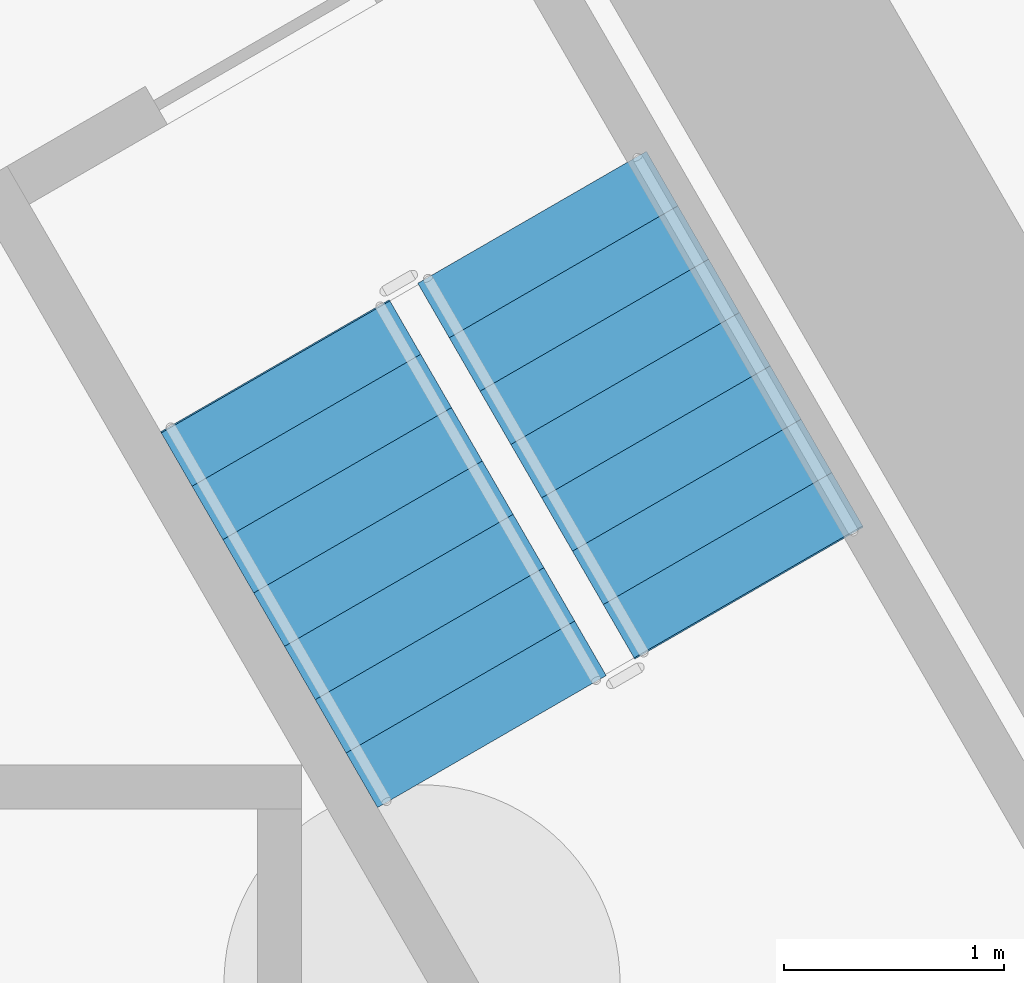
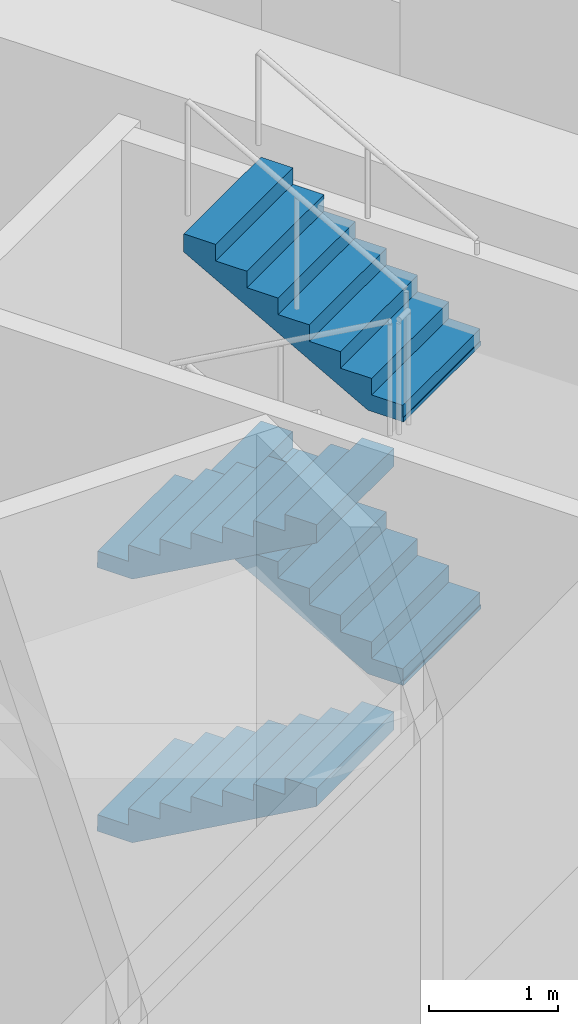
# One storey, part 5 of 7: 4 stair flights, 1 element without a shape of its own.
"""IFC4 building model written with IfcOpenShell, lengths in metres."""

import ifcopenshell
import ifcopenshell.guid

model = None  # the IFC model being written
_history = None  # IfcOwnerHistory: only IFC2X3 demands one
_inside = {}  # id of a spatial element -> (the spatial element, [elements in it])
_under = {}  # id of a project, library or spatial element -> (it, [spatial elements below it])
_declared = {}  # id of a project -> (the project, [libraries it declares])
_typed = {}  # id of a type object -> (the type object, [elements of that type])
_made_of = {}  # id of a material, layer set ... -> (it, [elements and type objects made of it])


def new_model(schema):
    """Start an empty IFC model of exactly this schema.

    Asked for "IFC4X3", IfcOpenShell would pick the latest addendum, in which some entities
    have other attributes; the version numbers below select the first issue.
    IFC2X3 requires an IfcOwnerHistory on every rooted entity: one is made here for all.
    """
    global model, _history
    if schema == "IFC4X3":
        model = ifcopenshell.file(schema_version=(4, 3, 0, 0))
    else:
        model = ifcopenshell.file(schema=schema)
    _inside.clear()
    _under.clear()
    _declared.clear()
    _typed.clear()
    _made_of.clear()
    _history = None
    if model.schema == "IFC2X3":
        org = make("IfcOrganization", Name="unknown")
        user = make(
            "IfcPersonAndOrganization",
            ThePerson=make("IfcPerson", FamilyName="unknown"),
            TheOrganization=org,
        )
        app = make(
            "IfcApplication",
            ApplicationDeveloper=org,
            Version="unknown",
            ApplicationFullName="unknown",
            ApplicationIdentifier="unknown",
        )
        _history = make(
            "IfcOwnerHistory",
            OwningUser=user,
            OwningApplication=app,
            ChangeAction="ADDED",
            CreationDate=0,
        )
    return model


def make(cls, **values):
    """One entity of the class cls with the attributes given. An attribute that is None is left unset."""
    return model.create_entity(
        cls, **{name: value for name, value in values.items() if value is not None}
    )


def rooted(cls, **values):
    """An entity with a GlobalId (a new one), such as an element, a storey or a relation."""
    return make(cls, GlobalId=ifcopenshell.guid.new(), OwnerHistory=_history, **values)


def si_unit(unit_type, name, prefix=None):
    """IfcSIUnit, for example si_unit("LENGTHUNIT", "METRE", prefix="MILLI")."""
    return make("IfcSIUnit", UnitType=unit_type, Prefix=prefix, Name=name)


def assignment(units):
    """IfcUnitAssignment: the units of a project."""
    return None if units is None else make("IfcUnitAssignment", Units=units)


def point(xyz):
    """IfcCartesianPoint."""
    return None if xyz is None else make("IfcCartesianPoint", Coordinates=xyz)


def direction(xyz):
    """IfcDirection."""
    return None if xyz is None else make("IfcDirection", DirectionRatios=xyz)


def frame(location, z_axis=None, x_axis=None):
    """IfcAxis2Placement3D, a coordinate frame: its origin and axes. An axis left out is left unset."""
    return make(
        "IfcAxis2Placement3D",
        Location=point(location),
        Axis=direction(z_axis),
        RefDirection=direction(x_axis),
    )


def origin():
    """The frame at (0, 0, 0) with its axes left unset."""
    return frame((0.0, 0.0, 0.0))


def place(relative_to, where):
    """IfcLocalPlacement: puts the frame where relative to a parent placement (None: the world)."""
    return make(
        "IfcLocalPlacement", PlacementRelTo=relative_to, RelativePlacement=where
    )


def context(
    kind, dimensions, precision=None, world=None, true_north=None, identifier=None
):
    """IfcGeometricRepresentationContext, for example the 3D "Model" context."""
    return make(
        "IfcGeometricRepresentationContext",
        ContextIdentifier=identifier,
        ContextType=kind,
        CoordinateSpaceDimension=dimensions,
        Precision=precision,
        WorldCoordinateSystem=world,
        TrueNorth=true_north,
    )


def subcontext(parent, identifier, kind, view, scale=None):
    """IfcGeometricRepresentationSubContext, for example "Body" below "Model"."""
    return make(
        "IfcGeometricRepresentationSubContext",
        ContextIdentifier=identifier,
        ContextType=kind,
        ParentContext=parent,
        TargetScale=scale,
        TargetView=view,
    )


def project(units=None, contexts=None):
    """IfcProject with its units and contexts."""
    return rooted(
        "IfcProject",
        Name="project",
        RepresentationContexts=contexts,
        UnitsInContext=assignment(units),
    )


def spatial(cls, under=None, at=None, **own):
    """A site, building, storey or space (cls), placed at a placement, below another one or the project."""
    s = rooted(cls, ObjectPlacement=at, **own)
    if under is not None:
        _under.setdefault(under.id(), (under, []))[1].append(s)
    return s


def polyline(points):
    """IfcPolyline through the points."""
    return make("IfcPolyline", Points=[point(p) for p in points])


def outline(outer, holes=None, kind="AREA"):
    """IfcArbitraryClosedProfileDef: a profile drawn as a closed curve; with holes, ...WithVoids."""
    if holes is None:
        return make("IfcArbitraryClosedProfileDef", ProfileType=kind, OuterCurve=outer)
    return make(
        "IfcArbitraryProfileDefWithVoids",
        ProfileType=kind,
        OuterCurve=outer,
        InnerCurves=holes,
    )


def extrude(swept, where, along, depth):
    """IfcExtrudedAreaSolid: the profile swept, set in the frame where, extruded along a direction by depth."""
    return make(
        "IfcExtrudedAreaSolid",
        SweptArea=swept,
        Position=where,
        ExtrudedDirection=direction(along),
        Depth=depth,
    )


def shape(context_of_items, identifier, shape_type, items):
    """IfcShapeRepresentation: the items that make up one representation, for example the "Body"."""
    return make(
        "IfcShapeRepresentation",
        ContextOfItems=context_of_items,
        RepresentationIdentifier=identifier,
        RepresentationType=shape_type,
        Items=items,
    )


def material(Name=None, Category=None):
    """IfcMaterial."""
    return make("IfcMaterial", Name=Name, Category=Category)


def layer(
    of_material, thickness, ventilated=None, Name=None, Category=None, Priority=None
):
    """IfcMaterialLayer: one layer of a wall or slab, of a material (None: an air gap)."""
    return make(
        "IfcMaterialLayer",
        Material=of_material,
        LayerThickness=thickness,
        IsVentilated=ventilated,
        Name=Name,
        Category=Category,
        Priority=Priority,
    )


def layer_set(layers, Name=None):
    """IfcMaterialLayerSet."""
    return make("IfcMaterialLayerSet", MaterialLayers=layers, LayerSetName=Name)


def made_of(thing, what):
    """Note that an element or type object is made of a material, layer set ...; save() writes the relation."""
    if what is not None:
        _made_of.setdefault(what.id(), (what, []))[1].append(thing)
    return thing


def type_object(cls, material=None, **own):
    """A type object (cls), such as IfcWallType, which elements share."""
    return made_of(rooted(cls, **own), material)


def element(
    cls,
    number,
    at=None,
    inside=None,
    cuts=None,
    type_object=None,
    material=None,
    context=None,
    identifier="Body",
    shape_type=None,
    held_by="IfcProductDefinitionShape",
    body=None,
    shapes=None,
    **own,
):
    """One element of the class cls, such as IfcWall. Its Tag is "e" and its number.

    at: its placement. inside: the storey or other place that contains it. cuts: it is an
    opening in that element (IfcRelVoidsElement). A single representation is given by context,
    identifier, shape_type and body (its items); several are given by shapes. held_by: the class
    of the entity that holds the representations. save() writes the other relations.
    """
    e = rooted(cls, Tag="e%d" % number, ObjectPlacement=at, **own)
    if body is not None:
        shapes = [shape(context, identifier, shape_type, body)]
    if shapes is not None:
        e.Representation = make(held_by, Representations=shapes)
    if inside is not None:
        _inside.setdefault(inside.id(), (inside, []))[1].append(e)
    if cuts is not None:
        rooted(
            "IfcRelVoidsElement", RelatingBuildingElement=cuts, RelatedOpeningElement=e
        )
    if type_object is not None:
        _typed.setdefault(type_object.id(), (type_object, []))[1].append(e)
    return made_of(e, material)


def aggregate(whole, parts):
    """IfcRelAggregates: a whole, such as a stair, and the parts it consists of."""
    return rooted("IfcRelAggregates", RelatingObject=whole, RelatedObjects=parts)


def save(model, path):
    """Write the relations noted so far, then the file.

    IfcRelAggregates (storeys below a building ...), IfcRelContainedInSpatialStructure (elements
    in a storey), IfcRelDefinesByType, IfcRelAssociatesMaterial and IfcRelDeclares: one each for
    every whole, place, type object, material and project.
    """
    for whole, parts in _under.values():
        aggregate(whole, parts)
    for where, things in _inside.values():
        rooted(
            "IfcRelContainedInSpatialStructure",
            RelatedElements=things,
            RelatingStructure=where,
        )
    for kind, things in _typed.values():
        rooted("IfcRelDefinesByType", RelatedObjects=things, RelatingType=kind)
    for what, things in _made_of.values():
        rooted("IfcRelAssociatesMaterial", RelatedObjects=things, RelatingMaterial=what)
    for by, libraries in _declared.values():
        rooted("IfcRelDeclares", RelatingContext=by, RelatedDefinitions=libraries)
    model.write(path)


model = new_model("IFC4")

# Units and contexts
model_context = context("Model", 3, precision=1e-05, world=origin(), true_north=direction((0.0, 1.0)))
body_context = subcontext(model_context, "Body", "Model", "MODEL_VIEW")
ifc_project = project(units=[si_unit("LENGTHUNIT", "METRE"), si_unit("AREAUNIT", "SQUARE_METRE"), si_unit("VOLUMEUNIT", "CUBIC_METRE"), si_unit("PLANEANGLEUNIT", "RADIAN"), si_unit("MASSUNIT", "GRAM", prefix="KILO")], contexts=[model_context])

# Site, building, storey
site_placement = place(None, origin())
site = spatial("IfcSite", under=ifc_project, at=site_placement, CompositionType="ELEMENT")
building_placement = place(site_placement, origin())
building = spatial("IfcBuilding", under=site, at=building_placement, Name="Tramontana Tower", CompositionType="ELEMENT")
storey_placement = place(building_placement, frame((0.0, 0.0, -5.0)))
storey = spatial("IfcBuildingStorey", under=building, at=storey_placement, Name="B1", CompositionType="ELEMENT", Elevation=-5.0)

# Stair, stair flights
ifc_material_1 = material(Name="Concrete 40 MPa", Category="concrete")
stair_type = type_object("IfcStairType", Name="EXIT STAIR 32 RISERS", PredefinedType="HALF_TURN_STAIR", material=ifc_material_1)
stair_placement = place(storey_placement, origin())
stair = element("IfcStair", 1, at=stair_placement, inside=storey, type_object=stair_type, Name="B1 Exit stair ST3", PredefinedType="HALF_TURN_STAIR")
ifc_material_2 = material(Name="Concrete 40 MPa", Category="concrete")
ifc_layer = layer(ifc_material_2, 0.14990234375)
ifc_layer_set = layer_set([ifc_layer], Name="EXIT STAIR FLIGHT")
stair_flight_type = type_object("IfcStairFlightType", Name="EXIT STAIR FLIGHT", PredefinedType="STRAIGHT", material=ifc_layer_set)
stair_flight_1_placement = place(storey_placement, frame((4.671142578125, -1.090576171875, 0.0), z_axis=(0.0, 0.0, 1.0), x_axis=(0.5, -0.866025403784, 0.0)))
stair_flight_1 = element("IfcStairFlight", 2, at=stair_flight_1_placement, type_object=stair_flight_type, Name="ST3 flight 1", NumberOfRisers=8, NumberOfTreads=7, PredefinedType="STRAIGHT", RiserHeight=0.15625, TreadLength=0.28, context=body_context, shape_type="SweptSolid", body=[
    extrude(outline(polyline([(-0.006103515625, 0.0), (-0.006103515625, 0.0400390625), (0.0, 0.0400390625), (0.0, 0.15625), (0.280029296875, 0.15625), (0.280029296875, 0.3125), (0.56005859375, 0.3125), (0.56005859375, 0.46875), (0.840087890625, 0.46875), (0.840087890625, 0.625), (1.1201171875, 0.625), (1.1201171875, 0.78125), (1.39990234375, 0.78125), (1.39990234375, 0.9375), (1.679931640625, 0.9375), (1.679931640625, 1.09375), (1.9599609375, 1.09375), (1.966064453125, 1.09375), (1.966064453125, 0.922119140625), (0.313720703125, 0.0), (-0.006103515625, 0.0)])), frame((0.0, 0.60009765625, 0.0), z_axis=(0.0, -1.0, 0.0), x_axis=(1.0, 0.0, 0.0)), (0.0, 0.0, 1.0), 1.199951171875),
])
stair_flight_2_placement = place(storey_placement, frame((6.8203125, -2.113037109375, 1.25), z_axis=(0.0, 0.0, 1.0), x_axis=(-0.5, 0.866025403784, 0.0)))
stair_flight_2 = element("IfcStairFlight", 3, at=stair_flight_2_placement, type_object=stair_flight_type, Name="ST3 flight 2", NumberOfRisers=8, NumberOfTreads=7, PredefinedType="STRAIGHT", RiserHeight=0.15625, TreadLength=0.28, context=body_context, shape_type="SweptSolid", body=[
    extrude(outline(polyline([(-0.006103515625, 0.0), (-0.006103515625, 0.0400390625), (0.0, 0.0400390625), (0.0, 0.15625), (0.280029296875, 0.15625), (0.280029296875, 0.3125), (0.56005859375, 0.3125), (0.56005859375, 0.46875), (0.840087890625, 0.46875), (0.840087890625, 0.625), (1.1201171875, 0.625), (1.1201171875, 0.78125), (1.39990234375, 0.78125), (1.39990234375, 0.9375), (1.679931640625, 0.9375), (1.679931640625, 1.09375), (1.9599609375, 1.09375), (1.966064453125, 1.09375), (1.966064453125, 0.922119140625), (0.313720703125, 0.0), (-0.006103515625, 0.0)])), frame((0.0, 0.60009765625, 0.0), z_axis=(0.0, -1.0, 0.0), x_axis=(1.0, 0.0, 0.0)), (0.0, 0.0, 1.0), 1.199951171875),
])
stair_flight_3_placement = place(storey_placement, frame((4.671142578125, -1.090576171875, 2.5), z_axis=(0.0, 0.0, 1.0), x_axis=(0.5, -0.866025403784, 0.0)))
stair_flight_3 = element("IfcStairFlight", 4, at=stair_flight_3_placement, type_object=stair_flight_type, Name="ST3 flight 3", NumberOfRisers=8, NumberOfTreads=7, PredefinedType="STRAIGHT", RiserHeight=0.15625, TreadLength=0.28, context=body_context, shape_type="SweptSolid", body=[
    extrude(outline(polyline([(-0.006103515625, 0.0), (-0.006103515625, 0.0400390625), (0.0, 0.0400390625), (0.0, 0.15625), (0.280029296875, 0.15625), (0.280029296875, 0.3125), (0.56005859375, 0.3125), (0.56005859375, 0.46875), (0.840087890625, 0.46875), (0.840087890625, 0.625), (1.1201171875, 0.625), (1.1201171875, 0.78125), (1.39990234375, 0.78125), (1.39990234375, 0.9375), (1.679931640625, 0.9375), (1.679931640625, 1.09375), (1.9599609375, 1.09375), (1.966064453125, 1.09375), (1.966064453125, 0.922119140625), (0.313720703125, 0.0), (-0.006103515625, 0.0)])), frame((0.0, 0.60009765625, 0.0), z_axis=(0.0, -1.0, 0.0), x_axis=(1.0, 0.0, 0.0)), (0.0, 0.0, 1.0), 1.199951171875),
])
stair_flight_4_placement = place(storey_placement, frame((6.8203125, -2.113037109375, 3.75), z_axis=(0.0, 0.0, 1.0), x_axis=(-0.5, 0.866025403784, 0.0)))
stair_flight_4 = element("IfcStairFlight", 5, at=stair_flight_4_placement, type_object=stair_flight_type, Name="ST3 flight 4", NumberOfRisers=8, NumberOfTreads=7, PredefinedType="STRAIGHT", RiserHeight=0.15625, TreadLength=0.28, context=body_context, shape_type="SweptSolid", body=[
    extrude(outline(polyline([(-0.006103515625, 0.0), (-0.006103515625, 0.0400390625), (0.0, 0.0400390625), (0.0, 0.15625), (0.280029296875, 0.15625), (0.280029296875, 0.3125), (0.56005859375, 0.3125), (0.56005859375, 0.46875), (0.840087890625, 0.46875), (0.840087890625, 0.625), (1.1201171875, 0.625), (1.1201171875, 0.78125), (1.39990234375, 0.78125), (1.39990234375, 0.9375), (1.679931640625, 0.9375), (1.679931640625, 1.09375), (1.9599609375, 1.09375), (1.966064453125, 1.09375), (1.966064453125, 0.922119140625), (0.313720703125, 0.0), (-0.006103515625, 0.0)])), frame((0.0, 0.60009765625, 0.0), z_axis=(0.0, -1.0, 0.0), x_axis=(1.0, 0.0, 0.0)), (0.0, 0.0, 1.0), 1.199951171875),
])
aggregate(stair, [stair_flight_1, stair_flight_2, stair_flight_3, stair_flight_4])

save(model, "model.ifc")
